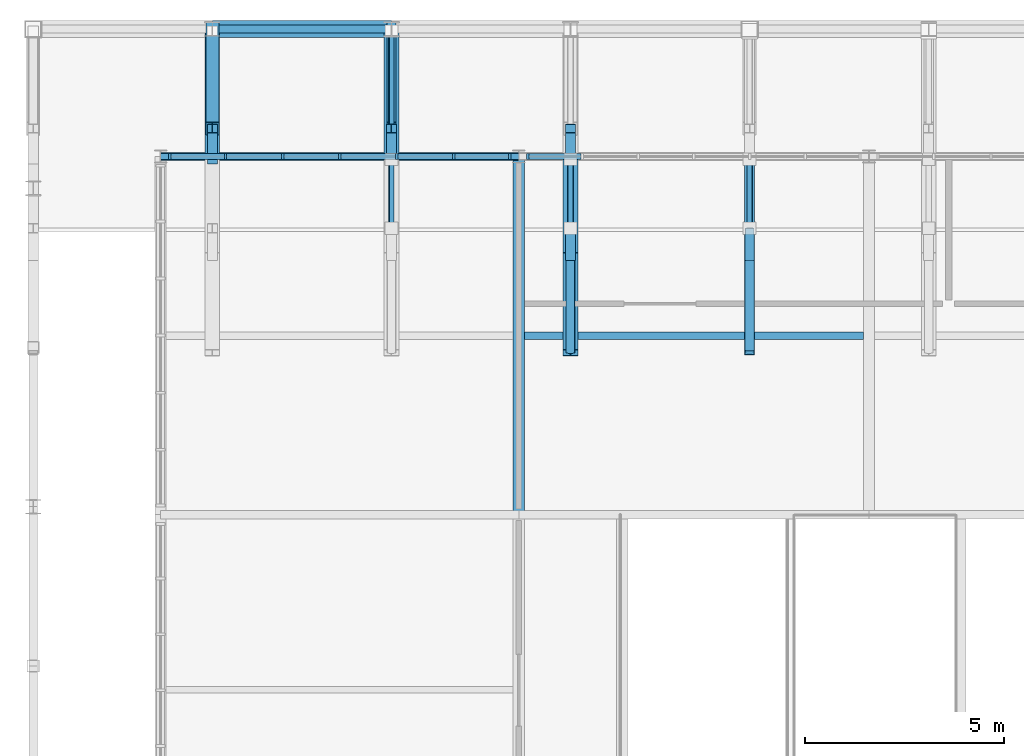
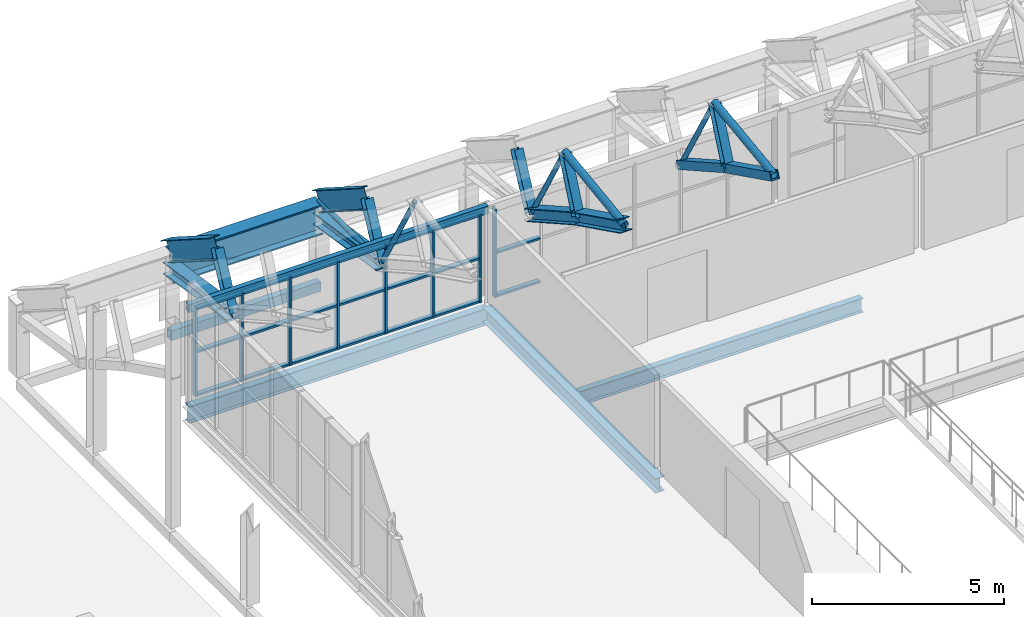
# One storey, part 57 of 134: 45 members, 8 beams, 2 elements without a shape of their own.
"""IFC4 building model written with IfcOpenShell, lengths in metres."""

import ifcopenshell
import ifcopenshell.guid

model = None  # the IFC model being written
_history = None  # IfcOwnerHistory: only IFC2X3 demands one
_inside = {}  # id of a spatial element -> (the spatial element, [elements in it])
_under = {}  # id of a project, library or spatial element -> (it, [spatial elements below it])
_declared = {}  # id of a project -> (the project, [libraries it declares])
_typed = {}  # id of a type object -> (the type object, [elements of that type])
_made_of = {}  # id of a material, layer set ... -> (it, [elements and type objects made of it])


def new_model(schema):
    """Start an empty IFC model of exactly this schema.

    Asked for "IFC4X3", IfcOpenShell would pick the latest addendum, in which some entities
    have other attributes; the version numbers below select the first issue.
    IFC2X3 requires an IfcOwnerHistory on every rooted entity: one is made here for all.
    """
    global model, _history
    if schema == "IFC4X3":
        model = ifcopenshell.file(schema_version=(4, 3, 0, 0))
    else:
        model = ifcopenshell.file(schema=schema)
    _inside.clear()
    _under.clear()
    _declared.clear()
    _typed.clear()
    _made_of.clear()
    _history = None
    if model.schema == "IFC2X3":
        org = make("IfcOrganization", Name="unknown")
        user = make(
            "IfcPersonAndOrganization",
            ThePerson=make("IfcPerson", FamilyName="unknown"),
            TheOrganization=org,
        )
        app = make(
            "IfcApplication",
            ApplicationDeveloper=org,
            Version="unknown",
            ApplicationFullName="unknown",
            ApplicationIdentifier="unknown",
        )
        _history = make(
            "IfcOwnerHistory",
            OwningUser=user,
            OwningApplication=app,
            ChangeAction="ADDED",
            CreationDate=0,
        )
    return model


def make(cls, **values):
    """One entity of the class cls with the attributes given. An attribute that is None is left unset."""
    return model.create_entity(
        cls, **{name: value for name, value in values.items() if value is not None}
    )


def rooted(cls, **values):
    """An entity with a GlobalId (a new one), such as an element, a storey or a relation."""
    return make(cls, GlobalId=ifcopenshell.guid.new(), OwnerHistory=_history, **values)


def si_unit(unit_type, name, prefix=None):
    """IfcSIUnit, for example si_unit("LENGTHUNIT", "METRE", prefix="MILLI")."""
    return make("IfcSIUnit", UnitType=unit_type, Prefix=prefix, Name=name)


def assignment(units):
    """IfcUnitAssignment: the units of a project."""
    return None if units is None else make("IfcUnitAssignment", Units=units)


def point(xyz):
    """IfcCartesianPoint."""
    return None if xyz is None else make("IfcCartesianPoint", Coordinates=xyz)


def direction(xyz):
    """IfcDirection."""
    return None if xyz is None else make("IfcDirection", DirectionRatios=xyz)


def frame(location, z_axis=None, x_axis=None):
    """IfcAxis2Placement3D, a coordinate frame: its origin and axes. An axis left out is left unset."""
    return make(
        "IfcAxis2Placement3D",
        Location=point(location),
        Axis=direction(z_axis),
        RefDirection=direction(x_axis),
    )


def frame_2d(location, x_axis=None):
    """IfcAxis2Placement2D, a coordinate frame in the plane: its origin and x axis."""
    return make(
        "IfcAxis2Placement2D", Location=point(location), RefDirection=direction(x_axis)
    )


def origin():
    """The frame at (0, 0, 0) with its axes left unset."""
    return frame((0.0, 0.0, 0.0))


def origin_2d():
    """The frame at (0, 0) in the plane with its x axis left unset."""
    return frame_2d((0.0, 0.0))


def place(relative_to, where):
    """IfcLocalPlacement: puts the frame where relative to a parent placement (None: the world)."""
    return make(
        "IfcLocalPlacement", PlacementRelTo=relative_to, RelativePlacement=where
    )


def context(
    kind, dimensions, precision=None, world=None, true_north=None, identifier=None
):
    """IfcGeometricRepresentationContext, for example the 3D "Model" context."""
    return make(
        "IfcGeometricRepresentationContext",
        ContextIdentifier=identifier,
        ContextType=kind,
        CoordinateSpaceDimension=dimensions,
        Precision=precision,
        WorldCoordinateSystem=world,
        TrueNorth=true_north,
    )


def subcontext(parent, identifier, kind, view, scale=None):
    """IfcGeometricRepresentationSubContext, for example "Body" below "Model"."""
    return make(
        "IfcGeometricRepresentationSubContext",
        ContextIdentifier=identifier,
        ContextType=kind,
        ParentContext=parent,
        TargetScale=scale,
        TargetView=view,
    )


def project(units=None, contexts=None):
    """IfcProject with its units and contexts."""
    return rooted(
        "IfcProject",
        Name="project",
        RepresentationContexts=contexts,
        UnitsInContext=assignment(units),
    )


def spatial(cls, under=None, at=None, **own):
    """A site, building, storey or space (cls), placed at a placement, below another one or the project."""
    s = rooted(cls, ObjectPlacement=at, **own)
    if under is not None:
        _under.setdefault(under.id(), (under, []))[1].append(s)
    return s


def profile(cls, at=None, kind="AREA", **sizes):
    """A parametric profile (cls). Its sizes go by their IFC names, for example OverallWidth=200.0."""
    return make(cls, ProfileType=kind, Position=at, **sizes)


def rectangle(**sizes):
    """IfcRectangleProfileDef."""
    return profile("IfcRectangleProfileDef", **sizes)


def hollow_rectangle(**sizes):
    """IfcRectangleHollowProfileDef."""
    return profile("IfcRectangleHollowProfileDef", **sizes)


def hollow_circle(**sizes):
    """IfcCircleHollowProfileDef."""
    return profile("IfcCircleHollowProfileDef", **sizes)


def i_section(**sizes):
    """IfcIShapeProfileDef."""
    return profile("IfcIShapeProfileDef", **sizes)


def extrude(swept, where, along, depth):
    """IfcExtrudedAreaSolid: the profile swept, set in the frame where, extruded along a direction by depth."""
    return make(
        "IfcExtrudedAreaSolid",
        SweptArea=swept,
        Position=where,
        ExtrudedDirection=direction(along),
        Depth=depth,
    )


def shape(context_of_items, identifier, shape_type, items):
    """IfcShapeRepresentation: the items that make up one representation, for example the "Body"."""
    return make(
        "IfcShapeRepresentation",
        ContextOfItems=context_of_items,
        RepresentationIdentifier=identifier,
        RepresentationType=shape_type,
        Items=items,
    )


def material(Name=None, Category=None):
    """IfcMaterial."""
    return make("IfcMaterial", Name=Name, Category=Category)


def layer(
    of_material, thickness, ventilated=None, Name=None, Category=None, Priority=None
):
    """IfcMaterialLayer: one layer of a wall or slab, of a material (None: an air gap)."""
    return make(
        "IfcMaterialLayer",
        Material=of_material,
        LayerThickness=thickness,
        IsVentilated=ventilated,
        Name=Name,
        Category=Category,
        Priority=Priority,
    )


def layer_set(layers, Name=None):
    """IfcMaterialLayerSet."""
    return make("IfcMaterialLayerSet", MaterialLayers=layers, LayerSetName=Name)


def material_profile(
    of_material, cross_section, Name=None, Category=None, Priority=None
):
    """IfcMaterialProfile: a cross section and its material."""
    return make(
        "IfcMaterialProfile",
        Name=Name,
        Material=of_material,
        Profile=cross_section,
        Priority=Priority,
        Category=Category,
    )


def profile_set(profiles, Name=None, composite=None):
    """IfcMaterialProfileSet."""
    return make(
        "IfcMaterialProfileSet",
        Name=Name,
        MaterialProfiles=profiles,
        CompositeProfile=composite,
    )


def made_of(thing, what):
    """Note that an element or type object is made of a material, layer set ...; save() writes the relation."""
    if what is not None:
        _made_of.setdefault(what.id(), (what, []))[1].append(thing)
    return thing


def type_object(cls, material=None, **own):
    """A type object (cls), such as IfcWallType, which elements share."""
    return made_of(rooted(cls, **own), material)


def element(
    cls,
    number,
    at=None,
    inside=None,
    cuts=None,
    type_object=None,
    material=None,
    context=None,
    identifier="Body",
    shape_type=None,
    held_by="IfcProductDefinitionShape",
    body=None,
    shapes=None,
    **own,
):
    """One element of the class cls, such as IfcWall. Its Tag is "e" and its number.

    at: its placement. inside: the storey or other place that contains it. cuts: it is an
    opening in that element (IfcRelVoidsElement). A single representation is given by context,
    identifier, shape_type and body (its items); several are given by shapes. held_by: the class
    of the entity that holds the representations. save() writes the other relations.
    """
    e = rooted(cls, Tag="e%d" % number, ObjectPlacement=at, **own)
    if body is not None:
        shapes = [shape(context, identifier, shape_type, body)]
    if shapes is not None:
        e.Representation = make(held_by, Representations=shapes)
    if inside is not None:
        _inside.setdefault(inside.id(), (inside, []))[1].append(e)
    if cuts is not None:
        rooted(
            "IfcRelVoidsElement", RelatingBuildingElement=cuts, RelatedOpeningElement=e
        )
    if type_object is not None:
        _typed.setdefault(type_object.id(), (type_object, []))[1].append(e)
    return made_of(e, material)


def aggregate(whole, parts):
    """IfcRelAggregates: a whole, such as a stair, and the parts it consists of."""
    return rooted("IfcRelAggregates", RelatingObject=whole, RelatedObjects=parts)


def save(model, path):
    """Write the relations noted so far, then the file.

    IfcRelAggregates (storeys below a building ...), IfcRelContainedInSpatialStructure (elements
    in a storey), IfcRelDefinesByType, IfcRelAssociatesMaterial and IfcRelDeclares: one each for
    every whole, place, type object, material and project.
    """
    for whole, parts in _under.values():
        aggregate(whole, parts)
    for where, things in _inside.values():
        rooted(
            "IfcRelContainedInSpatialStructure",
            RelatedElements=things,
            RelatingStructure=where,
        )
    for kind, things in _typed.values():
        rooted("IfcRelDefinesByType", RelatedObjects=things, RelatingType=kind)
    for what, things in _made_of.values():
        rooted("IfcRelAssociatesMaterial", RelatedObjects=things, RelatingMaterial=what)
    for by, libraries in _declared.values():
        rooted("IfcRelDeclares", RelatingContext=by, RelatedDefinitions=libraries)
    model.write(path)


model = new_model("IFC4")

# Units and contexts
model_context = context("Model", 3, precision=1e-05, world=origin(), true_north=direction((0.0, 1.0)))
body_context = subcontext(model_context, "Body", "Model", "MODEL_VIEW")
ifc_project = project(units=[si_unit("LENGTHUNIT", "METRE"), si_unit("AREAUNIT", "SQUARE_METRE"), si_unit("VOLUMEUNIT", "CUBIC_METRE"), si_unit("PLANEANGLEUNIT", "RADIAN"), si_unit("MASSUNIT", "GRAM", prefix="KILO")], contexts=[model_context])

# Site, building, storey
site_placement = place(None, origin())
site = spatial("IfcSite", under=ifc_project, at=site_placement, CompositionType="ELEMENT")
building_placement = place(site_placement, origin())
building = spatial("IfcBuilding", under=site, at=building_placement, Name="Cazmaro Siding Exhibition Halls", CompositionType="ELEMENT")
storey_placement = place(building_placement, frame((0.0, 0.0, 12.0)))
storey = spatial("IfcBuildingStorey", under=building, at=storey_placement, Name="L02", CompositionType="ELEMENT", Elevation=12.0)

# Beams
ifc_material_1 = material(Name="Steel ASTM A992 Grade 50", Category="steel")
ifc_material_profile_1 = material_profile(ifc_material_1, i_section(OverallWidth=0.324951171875, OverallDepth=0.612060546875, WebThickness=0.012939453125, FlangeThickness=0.01904296875, at=origin_2d()), Name="W24X104")
ifc_profile_set_1 = profile_set([ifc_material_profile_1], Name="Steel ASTM A992 Grade 50")
beam_type_1 = type_object("IfcBeamType", Name="AR-02", PredefinedType="USERDEFINED", material=ifc_profile_set_1)
beam_1_placement = place(storey_placement, frame((49.5, 121.5, 3.89306640625), z_axis=(0.0, 0.843339173298, -0.537381650954), x_axis=(-1.0, 0.0, 0.0)))
element("IfcBeam", 1, at=beam_1_placement, inside=storey, type_object=beam_type_1, Name="Space frame barrel vault arched rib AR-02 BM-0582", ObjectType="ARCHED RIB", PredefinedType="USERDEFINED", context=body_context, shape_type="SweptSolid", body=[
    extrude(i_section(OverallWidth=0.324951171875, OverallDepth=0.612060546875, WebThickness=0.012939453125, FlangeThickness=0.01904296875, at=origin_2d()), origin(), (0.0, 0.0, 1.0), 2.96435546875),
])
ifc_material_2 = material(Name="Steel ASTM A992 Grade 50", Category="steel")
ifc_material_profile_2 = material_profile(ifc_material_2, i_section(OverallWidth=0.22900390625, OverallDepth=0.612060546875, WebThickness=0.011962890625, FlangeThickness=0.02001953125, at=origin_2d()), Name="W24X84")
ifc_profile_set_2 = profile_set([ifc_material_profile_2], Name="Steel ASTM A992 Grade 50")
beam_type_2 = type_object("IfcBeamType", Name="AR-03", PredefinedType="USERDEFINED", material=ifc_profile_set_2)
beam_2_placement = place(storey_placement, frame((54.0, 121.5, 3.89306640625), z_axis=(0.0, 0.843339173298, -0.537381650954), x_axis=(-1.0, 0.0, 0.0)))
element("IfcBeam", 2, at=beam_2_placement, inside=storey, type_object=beam_type_2, Name="Space frame barrel vault arched rib AR-03 BM-0606", ObjectType="ARCHED RIB", PredefinedType="USERDEFINED", context=body_context, shape_type="SweptSolid", body=[
    extrude(i_section(OverallWidth=0.22900390625, OverallDepth=0.612060546875, WebThickness=0.011962890625, FlangeThickness=0.02001953125, at=origin_2d()), origin(), (0.0, 0.0, 1.0), 2.96435546875),
])
ifc_material_3 = material(Name="Steel ASTM A992 Grade 50", Category="steel")
ifc_material_profile_3 = material_profile(ifc_material_3, i_section(OverallWidth=0.2099609375, OverallDepth=0.535888671875, WebThickness=0.010986328125, FlangeThickness=0.01708984375, at=origin_2d()), Name="W21X68")
ifc_profile_set_3 = profile_set([ifc_material_profile_3], Name="Steel ASTM A992 Grade 50")
beam_type_3 = type_object("IfcBeamType", Name="B-02", PredefinedType="BEAM", material=ifc_profile_set_3)
beam_3_placement = place(storey_placement, frame((48.199951171875, 120.800048828125, -0.488037109375), z_axis=(1.0, 0.0, 0.0), x_axis=(0.0, 1.0, 0.0)))
element("IfcBeam", 3, at=beam_3_placement, inside=storey, type_object=beam_type_3, Name="Beam B-02 BM-0399", PredefinedType="BEAM", context=body_context, shape_type="SweptSolid", body=[
    extrude(i_section(OverallWidth=0.2099609375, OverallDepth=0.535888671875, WebThickness=0.010986328125, FlangeThickness=0.01708984375, at=origin_2d()), origin(), (0.0, 0.0, 1.0), 9.0),
])
ifc_material_4 = material(Name="Steel ASTM A992 Grade 50", Category="steel")
ifc_material_profile_4 = material_profile(ifc_material_4, i_section(OverallWidth=0.279052734375, OverallDepth=0.4619140625, WebThickness=0.010986328125, FlangeThickness=0.01708984375, at=origin_2d()), Name="W18X76")
ifc_profile_set_4 = profile_set([ifc_material_profile_4], Name="Steel ASTM A992 Grade 50")
beam_type_4 = type_object("IfcBeamType", Name="B-03", PredefinedType="BEAM", material=ifc_profile_set_4)
beam_4_placement = place(storey_placement, frame((57.199951171875, 111.800048828125, -0.450927734375), z_axis=(0.0, 1.0, 0.0), x_axis=(-1.0, 0.0, 0.0)))
element("IfcBeam", 4, at=beam_4_placement, inside=storey, type_object=beam_type_4, Name="Beam B-03 BM-0438", PredefinedType="BEAM", context=body_context, shape_type="SweptSolid", body=[
    extrude(i_section(OverallWidth=0.279052734375, OverallDepth=0.4619140625, WebThickness=0.010986328125, FlangeThickness=0.01708984375, at=origin_2d()), origin(), (0.0, 0.0, 1.0), 9.0),
])

# Curtain wall, members
ifc_material_5 = material(Name="Anodized Bronze Aluminum and Solar-Control Low-E Glazing", Category="aluminium")
ifc_layer = layer(ifc_material_5, 0.159912109375)
ifc_layer_set = layer_set([ifc_layer], Name="Anodized Bronze Aluminum and Solar-Control Low-E Glazing")
curtain_wall_type = type_object("IfcCurtainWallType", Name="CWS-04", PredefinedType="USERDEFINED", material=ifc_layer_set)
curtain_wall_1_placement = place(storey_placement, origin())
curtain_wall_1 = element("IfcCurtainWall", 5, at=curtain_wall_1_placement, inside=storey, type_object=curtain_wall_type, Name="Clerestory Curtain Wall CWS-04 CW-002", ObjectType="CLERESTORY CURTAIN WALL", PredefinedType="USERDEFINED")
ifc_material_6 = material(Name="Anodized Bronze Extruded Aluminum", Category="aluminium")
ifc_material_profile_5 = material_profile(ifc_material_6, rectangle(XDim=0.159912109375, YDim=0.06005859375, at=origin_2d()), Name="CWM-04")
ifc_profile_set_5 = profile_set([ifc_material_profile_5], Name="Anodized Bronze Extruded Aluminum")
member_type_1 = type_object("IfcMemberType", Name="CWM-04", PredefinedType="MULLION", material=ifc_profile_set_5)
member_1_placement = place(storey_placement, frame((56.972900390625, 120.800048828125, 0.0), z_axis=(0.0, 0.0, 1.0), x_axis=(0.0, -1.0, 0.0)))
member_1 = element("IfcMember", 6, at=member_1_placement, type_object=member_type_1, Name="CWS-04 mullion 1", PredefinedType="MULLION", context=body_context, shape_type="SweptSolid", body=[
    extrude(rectangle(XDim=0.159912109375, YDim=0.06005859375, at=origin_2d()), origin(), (0.0, 0.0, 1.0), 2.800048828125),
])
member_2_placement = place(storey_placement, frame((55.568603515625, 120.800048828125, 0.0), z_axis=(0.0, 0.0, 1.0), x_axis=(0.0, -1.0, 0.0)))
member_2 = element("IfcMember", 7, at=member_2_placement, type_object=member_type_1, Name="CWS-04 mullion 2", PredefinedType="MULLION", context=body_context, shape_type="SweptSolid", body=[
    extrude(rectangle(XDim=0.159912109375, YDim=0.06005859375, at=origin_2d()), origin(), (0.0, 0.0, 1.0), 2.800048828125),
])
member_3_placement = place(storey_placement, frame((54.13427734375, 120.800048828125, 0.0), z_axis=(0.0, 0.0, 1.0), x_axis=(0.0, -1.0, 0.0)))
member_3 = element("IfcMember", 8, at=member_3_placement, type_object=member_type_1, Name="CWS-04 mullion 3", PredefinedType="MULLION", context=body_context, shape_type="SweptSolid", body=[
    extrude(rectangle(XDim=0.159912109375, YDim=0.06005859375, at=origin_2d()), origin(), (0.0, 0.0, 1.0), 2.800048828125),
])
member_4_placement = place(storey_placement, frame((52.699951171875, 120.800048828125, 0.0), z_axis=(0.0, 0.0, 1.0), x_axis=(0.0, -1.0, 0.0)))
member_4 = element("IfcMember", 9, at=member_4_placement, type_object=member_type_1, Name="CWS-04 mullion 4", PredefinedType="MULLION", context=body_context, shape_type="SweptSolid", body=[
    extrude(rectangle(XDim=0.159912109375, YDim=0.06005859375, at=origin_2d()), origin(), (0.0, 0.0, 1.0), 2.800048828125),
])
member_5_placement = place(storey_placement, frame((51.265625, 120.800048828125, 0.0), z_axis=(0.0, 0.0, 1.0), x_axis=(0.0, -1.0, 0.0)))
member_5 = element("IfcMember", 10, at=member_5_placement, type_object=member_type_1, Name="CWS-04 mullion 5", PredefinedType="MULLION", context=body_context, shape_type="SweptSolid", body=[
    extrude(rectangle(XDim=0.159912109375, YDim=0.06005859375, at=origin_2d()), origin(), (0.0, 0.0, 1.0), 2.800048828125),
])
member_6_placement = place(storey_placement, frame((49.831298828125, 120.800048828125, 0.0), z_axis=(0.0, 0.0, 1.0), x_axis=(0.0, -1.0, 0.0)))
member_6 = element("IfcMember", 11, at=member_6_placement, type_object=member_type_1, Name="CWS-04 mullion 6", PredefinedType="MULLION", context=body_context, shape_type="SweptSolid", body=[
    extrude(rectangle(XDim=0.159912109375, YDim=0.06005859375, at=origin_2d()), origin(), (0.0, 0.0, 1.0), 2.800048828125),
])
member_7_placement = place(storey_placement, frame((48.427001953125, 120.800048828125, 0.0), z_axis=(0.0, 0.0, 1.0), x_axis=(0.0, -1.0, 0.0)))
member_7 = element("IfcMember", 12, at=member_7_placement, type_object=member_type_1, Name="CWS-04 mullion 7", PredefinedType="MULLION", context=body_context, shape_type="SweptSolid", body=[
    extrude(rectangle(XDim=0.159912109375, YDim=0.06005859375, at=origin_2d()), origin(), (0.0, 0.0, 1.0), 2.800048828125),
])

# Curtain wall, member
curtain_wall_2_placement = place(storey_placement, origin())
curtain_wall_2 = element("IfcCurtainWall", 13, at=curtain_wall_2_placement, inside=storey, type_object=curtain_wall_type, Name="Clerestory Curtain Wall CWS-04 CW-007", ObjectType="CLERESTORY CURTAIN WALL", PredefinedType="USERDEFINED")
member_8_placement = place(storey_placement, frame((57.427001953125, 120.800048828125, 0.0), z_axis=(0.0, 0.0, 1.0), x_axis=(0.0, -1.0, 0.0)))
member_8 = element("IfcMember", 14, at=member_8_placement, type_object=member_type_1, Name="CWS-04 mullion 7", PredefinedType="MULLION", context=body_context, shape_type="SweptSolid", body=[
    extrude(rectangle(XDim=0.159912109375, YDim=0.06005859375, at=origin_2d()), origin(), (0.0, 0.0, 1.0), 2.800048828125),
])

# Member
ifc_material_7 = material(Name="Anodized Bronze Extruded Aluminum", Category="aluminium")
ifc_material_profile_6 = material_profile(ifc_material_7, rectangle(XDim=0.139892578125, YDim=0.06005859375, at=origin_2d()), Name="CWT-04")
ifc_profile_set_6 = profile_set([ifc_material_profile_6], Name="Anodized Bronze Extruded Aluminum")
member_type_2 = type_object("IfcMemberType", Name="CWT-04", PredefinedType="MULLION", material=ifc_profile_set_6)
member_9_placement = place(storey_placement, frame((56.943115234375, 120.800048828125, 0.030029296875), z_axis=(-1.0, 0.0, 0.0), x_axis=(0.0, -1.0, 0.0)))
member_9 = element("IfcMember", 15, at=member_9_placement, type_object=member_type_2, Name="CWS-04 transom 1.1", ObjectType="TRANSOM", PredefinedType="USERDEFINED", context=body_context, shape_type="SweptSolid", body=[
    extrude(rectangle(XDim=0.139892578125, YDim=0.06005859375, at=origin_2d()), origin(), (0.0, 0.0, 1.0), 1.344482421875),
])

member_10_placement = place(storey_placement, frame((56.943115234375, 120.800048828125, 1.39990234375), z_axis=(-1.0, 0.0, 0.0), x_axis=(0.0, -1.0, 0.0)))
member_10 = element("IfcMember", 16, at=member_10_placement, type_object=member_type_2, Name="CWS-04 transom 1.2", ObjectType="TRANSOM", PredefinedType="USERDEFINED", context=body_context, shape_type="SweptSolid", body=[
    extrude(rectangle(XDim=0.139892578125, YDim=0.06005859375, at=origin_2d()), origin(), (0.0, 0.0, 1.0), 1.344482421875),
])

member_11_placement = place(storey_placement, frame((56.943115234375, 120.800048828125, 2.77001953125), z_axis=(-1.0, 0.0, 0.0), x_axis=(0.0, -1.0, 0.0)))
member_11 = element("IfcMember", 17, at=member_11_placement, type_object=member_type_2, Name="CWS-04 transom 1.3", ObjectType="TRANSOM", PredefinedType="USERDEFINED", context=body_context, shape_type="SweptSolid", body=[
    extrude(rectangle(XDim=0.139892578125, YDim=0.06005859375, at=origin_2d()), origin(), (0.0, 0.0, 1.0), 1.344482421875),
])

member_12_placement = place(storey_placement, frame((55.53857421875, 120.800048828125, 0.030029296875), z_axis=(-1.0, 0.0, 0.0), x_axis=(0.0, -1.0, 0.0)))
member_12 = element("IfcMember", 18, at=member_12_placement, type_object=member_type_2, Name="CWS-04 transom 2.1", ObjectType="TRANSOM", PredefinedType="USERDEFINED", context=body_context, shape_type="SweptSolid", body=[
    extrude(rectangle(XDim=0.139892578125, YDim=0.06005859375, at=origin_2d()), origin(), (0.0, 0.0, 1.0), 1.374267578125),
])

member_13_placement = place(storey_placement, frame((55.53857421875, 120.800048828125, 1.39990234375), z_axis=(-1.0, 0.0, 0.0), x_axis=(0.0, -1.0, 0.0)))
member_13 = element("IfcMember", 19, at=member_13_placement, type_object=member_type_2, Name="CWS-04 transom 2.2", ObjectType="TRANSOM", PredefinedType="USERDEFINED", context=body_context, shape_type="SweptSolid", body=[
    extrude(rectangle(XDim=0.139892578125, YDim=0.06005859375, at=origin_2d()), origin(), (0.0, 0.0, 1.0), 1.374267578125),
])

member_14_placement = place(storey_placement, frame((55.53857421875, 120.800048828125, 2.77001953125), z_axis=(-1.0, 0.0, 0.0), x_axis=(0.0, -1.0, 0.0)))
member_14 = element("IfcMember", 20, at=member_14_placement, type_object=member_type_2, Name="CWS-04 transom 2.3", ObjectType="TRANSOM", PredefinedType="USERDEFINED", context=body_context, shape_type="SweptSolid", body=[
    extrude(rectangle(XDim=0.139892578125, YDim=0.06005859375, at=origin_2d()), origin(), (0.0, 0.0, 1.0), 1.374267578125),
])

member_15_placement = place(storey_placement, frame((54.104248046875, 120.800048828125, 0.030029296875), z_axis=(-1.0, 0.0, 0.0), x_axis=(0.0, -1.0, 0.0)))
member_15 = element("IfcMember", 21, at=member_15_placement, type_object=member_type_2, Name="CWS-04 transom 3.1", ObjectType="TRANSOM", PredefinedType="USERDEFINED", context=body_context, shape_type="SweptSolid", body=[
    extrude(rectangle(XDim=0.139892578125, YDim=0.06005859375, at=origin_2d()), origin(), (0.0, 0.0, 1.0), 1.374267578125),
])

member_16_placement = place(storey_placement, frame((54.104248046875, 120.800048828125, 1.39990234375), z_axis=(-1.0, 0.0, 0.0), x_axis=(0.0, -1.0, 0.0)))
member_16 = element("IfcMember", 22, at=member_16_placement, type_object=member_type_2, Name="CWS-04 transom 3.2", ObjectType="TRANSOM", PredefinedType="USERDEFINED", context=body_context, shape_type="SweptSolid", body=[
    extrude(rectangle(XDim=0.139892578125, YDim=0.06005859375, at=origin_2d()), origin(), (0.0, 0.0, 1.0), 1.374267578125),
])

member_17_placement = place(storey_placement, frame((54.104248046875, 120.800048828125, 2.77001953125), z_axis=(-1.0, 0.0, 0.0), x_axis=(0.0, -1.0, 0.0)))
member_17 = element("IfcMember", 23, at=member_17_placement, type_object=member_type_2, Name="CWS-04 transom 3.3", ObjectType="TRANSOM", PredefinedType="USERDEFINED", context=body_context, shape_type="SweptSolid", body=[
    extrude(rectangle(XDim=0.139892578125, YDim=0.06005859375, at=origin_2d()), origin(), (0.0, 0.0, 1.0), 1.374267578125),
])

member_18_placement = place(storey_placement, frame((52.669921875, 120.800048828125, 0.030029296875), z_axis=(-1.0, 0.0, 0.0), x_axis=(0.0, -1.0, 0.0)))
member_18 = element("IfcMember", 24, at=member_18_placement, type_object=member_type_2, Name="CWS-04 transom 4.1", ObjectType="TRANSOM", PredefinedType="USERDEFINED", context=body_context, shape_type="SweptSolid", body=[
    extrude(rectangle(XDim=0.139892578125, YDim=0.06005859375, at=origin_2d()), origin(), (0.0, 0.0, 1.0), 1.374267578125),
])

member_19_placement = place(storey_placement, frame((52.669921875, 120.800048828125, 1.39990234375), z_axis=(-1.0, 0.0, 0.0), x_axis=(0.0, -1.0, 0.0)))
member_19 = element("IfcMember", 25, at=member_19_placement, type_object=member_type_2, Name="CWS-04 transom 4.2", ObjectType="TRANSOM", PredefinedType="USERDEFINED", context=body_context, shape_type="SweptSolid", body=[
    extrude(rectangle(XDim=0.139892578125, YDim=0.06005859375, at=origin_2d()), origin(), (0.0, 0.0, 1.0), 1.374267578125),
])

member_20_placement = place(storey_placement, frame((52.669921875, 120.800048828125, 2.77001953125), z_axis=(-1.0, 0.0, 0.0), x_axis=(0.0, -1.0, 0.0)))
member_20 = element("IfcMember", 26, at=member_20_placement, type_object=member_type_2, Name="CWS-04 transom 4.3", ObjectType="TRANSOM", PredefinedType="USERDEFINED", context=body_context, shape_type="SweptSolid", body=[
    extrude(rectangle(XDim=0.139892578125, YDim=0.06005859375, at=origin_2d()), origin(), (0.0, 0.0, 1.0), 1.374267578125),
])

member_21_placement = place(storey_placement, frame((51.235595703125, 120.800048828125, 0.030029296875), z_axis=(-1.0, 0.0, 0.0), x_axis=(0.0, -1.0, 0.0)))
member_21 = element("IfcMember", 27, at=member_21_placement, type_object=member_type_2, Name="CWS-04 transom 5.1", ObjectType="TRANSOM", PredefinedType="USERDEFINED", context=body_context, shape_type="SweptSolid", body=[
    extrude(rectangle(XDim=0.139892578125, YDim=0.06005859375, at=origin_2d()), origin(), (0.0, 0.0, 1.0), 1.374267578125),
])

member_22_placement = place(storey_placement, frame((51.235595703125, 120.800048828125, 1.39990234375), z_axis=(-1.0, 0.0, 0.0), x_axis=(0.0, -1.0, 0.0)))
member_22 = element("IfcMember", 28, at=member_22_placement, type_object=member_type_2, Name="CWS-04 transom 5.2", ObjectType="TRANSOM", PredefinedType="USERDEFINED", context=body_context, shape_type="SweptSolid", body=[
    extrude(rectangle(XDim=0.139892578125, YDim=0.06005859375, at=origin_2d()), origin(), (0.0, 0.0, 1.0), 1.374267578125),
])

member_23_placement = place(storey_placement, frame((51.235595703125, 120.800048828125, 2.77001953125), z_axis=(-1.0, 0.0, 0.0), x_axis=(0.0, -1.0, 0.0)))
member_23 = element("IfcMember", 29, at=member_23_placement, type_object=member_type_2, Name="CWS-04 transom 5.3", ObjectType="TRANSOM", PredefinedType="USERDEFINED", context=body_context, shape_type="SweptSolid", body=[
    extrude(rectangle(XDim=0.139892578125, YDim=0.06005859375, at=origin_2d()), origin(), (0.0, 0.0, 1.0), 1.374267578125),
])

member_24_placement = place(storey_placement, frame((49.80126953125, 120.800048828125, 0.030029296875), z_axis=(-1.0, 0.0, 0.0), x_axis=(0.0, -1.0, 0.0)))
member_24 = element("IfcMember", 30, at=member_24_placement, type_object=member_type_2, Name="CWS-04 transom 6.1", ObjectType="TRANSOM", PredefinedType="USERDEFINED", context=body_context, shape_type="SweptSolid", body=[
    extrude(rectangle(XDim=0.139892578125, YDim=0.06005859375, at=origin_2d()), origin(), (0.0, 0.0, 1.0), 1.34423828125),
])

member_25_placement = place(storey_placement, frame((49.80126953125, 120.800048828125, 1.39990234375), z_axis=(-1.0, 0.0, 0.0), x_axis=(0.0, -1.0, 0.0)))
member_25 = element("IfcMember", 31, at=member_25_placement, type_object=member_type_2, Name="CWS-04 transom 6.2", ObjectType="TRANSOM", PredefinedType="USERDEFINED", context=body_context, shape_type="SweptSolid", body=[
    extrude(rectangle(XDim=0.139892578125, YDim=0.06005859375, at=origin_2d()), origin(), (0.0, 0.0, 1.0), 1.34423828125),
])

member_26_placement = place(storey_placement, frame((49.80126953125, 120.800048828125, 2.77001953125), z_axis=(-1.0, 0.0, 0.0), x_axis=(0.0, -1.0, 0.0)))
member_26 = element("IfcMember", 32, at=member_26_placement, type_object=member_type_2, Name="CWS-04 transom 6.3", ObjectType="TRANSOM", PredefinedType="USERDEFINED", context=body_context, shape_type="SweptSolid", body=[
    extrude(rectangle(XDim=0.139892578125, YDim=0.06005859375, at=origin_2d()), origin(), (0.0, 0.0, 1.0), 1.34423828125),
])

aggregate(curtain_wall_1, [member_1, member_2, member_3, member_4, member_5, member_6, member_7, member_9, member_10, member_11, member_12, member_13, member_14, member_15, member_16, member_17, member_18, member_19, member_20, member_21, member_22, member_23, member_24, member_25, member_26])

member_27_placement = place(storey_placement, frame((58.76806640625, 120.800048828125, 0.030029296875), z_axis=(-1.0, 0.0, 0.0), x_axis=(0.0, -1.0, 0.0)))
member_27 = element("IfcMember", 33, at=member_27_placement, type_object=member_type_2, Name="CWS-04 transom 6.1", ObjectType="TRANSOM", PredefinedType="USERDEFINED", context=body_context, shape_type="SweptSolid", body=[
    extrude(rectangle(XDim=0.139892578125, YDim=0.06005859375, at=origin_2d()), origin(), (0.0, 0.0, 1.0), 1.31103515625),
])

member_28_placement = place(storey_placement, frame((58.76806640625, 120.800048828125, 1.39990234375), z_axis=(-1.0, 0.0, 0.0), x_axis=(0.0, -1.0, 0.0)))
member_28 = element("IfcMember", 34, at=member_28_placement, type_object=member_type_2, Name="CWS-04 transom 6.2", ObjectType="TRANSOM", PredefinedType="USERDEFINED", context=body_context, shape_type="SweptSolid", body=[
    extrude(rectangle(XDim=0.139892578125, YDim=0.06005859375, at=origin_2d()), origin(), (0.0, 0.0, 1.0), 1.31103515625),
])

aggregate(curtain_wall_2, [member_8, member_27, member_28])

# Beams
ifc_material_8 = material(Name="Steel ASTM A992 Grade 50", Category="steel")
ifc_material_profile_7 = material_profile(ifc_material_8, i_section(OverallWidth=0.424072265625, OverallDepth=0.947021484375, WebThickness=0.02392578125, FlangeThickness=0.04296875, at=origin_2d()), Name="W36X302")
ifc_profile_set_7 = profile_set([ifc_material_profile_7], Name="Steel ASTM A992 Grade 50")
beam_type_5 = type_object("IfcBeamType", Name="G-01", PredefinedType="USERDEFINED", material=ifc_profile_set_7)
beam_5_placement = place(storey_placement, frame((49.5, 124.0, 1.826904296875), z_axis=(1.0, 0.0, 0.0), x_axis=(0.0, 1.0, 0.0)))
element("IfcBeam", 35, at=beam_5_placement, inside=storey, type_object=beam_type_5, Name="Beam G-01 BM-0072", ObjectType="GIRDER", PredefinedType="USERDEFINED", context=body_context, shape_type="SweptSolid", body=[
    extrude(i_section(OverallWidth=0.424072265625, OverallDepth=0.947021484375, WebThickness=0.02392578125, FlangeThickness=0.04296875, at=origin_2d()), origin(), (0.0, 0.0, 1.0), 4.5),
])
ifc_material_9 = material(Name="Steel ASTM A992 Grade 50", Category="steel")
ifc_material_profile_8 = material_profile(ifc_material_9, i_section(OverallWidth=0.19091796875, OverallDepth=0.45703125, WebThickness=0.009033203125, FlangeThickness=0.013916015625, at=origin_2d()), Name="W18X50")
ifc_profile_set_8 = profile_set([ifc_material_profile_8], Name="Steel ASTM A992 Grade 50")
beam_type_6 = type_object("IfcBeamType", Name="J-01", PredefinedType="JOIST", material=ifc_profile_set_8)
beam_6_placement = place(storey_placement, frame((57.340087890625, 116.300048828125, -0.448974609375), z_axis=(1.0, 0.0, 0.0), x_axis=(0.0, 1.0, 0.0)))
element("IfcBeam", 36, at=beam_6_placement, inside=storey, type_object=beam_type_6, Name="Beam J-01 BM-0403", PredefinedType="JOIST", context=body_context, shape_type="SweptSolid", body=[
    extrude(i_section(OverallWidth=0.19091796875, OverallDepth=0.45703125, WebThickness=0.009033203125, FlangeThickness=0.013916015625, at=origin_2d()), origin(), (0.0, 0.0, 1.0), 8.52001953125),
])
ifc_material_10 = material(Name="Steel ASTM A500 Grade C", Category="steel")
ifc_material_profile_9 = material_profile(ifc_material_10, hollow_rectangle(XDim=0.202880859375, YDim=0.304931640625, WallThickness=0.011962890625, at=origin_2d()), Name="HSS12X8X1/2")
ifc_profile_set_9 = profile_set([ifc_material_profile_9], Name="Steel ASTM A500 Grade C")
beam_type_7 = type_object("IfcBeamType", Name="SP-01", PredefinedType="SPANDREL", material=ifc_profile_set_9)
beam_7_placement = place(storey_placement, frame((49.5, 124.0, -0.373046875), z_axis=(1.0, 0.0, 0.0), x_axis=(0.0, 1.0, 0.0)))
element("IfcBeam", 37, at=beam_7_placement, inside=storey, type_object=beam_type_7, Name="Beam SP-01 BM-0071", PredefinedType="SPANDREL", context=body_context, shape_type="SweptSolid", body=[
    extrude(hollow_rectangle(XDim=0.202880859375, YDim=0.304931640625, WallThickness=0.011962890625, at=origin_2d()), origin(), (0.0, 0.0, 1.0), 4.5),
])
ifc_material_11 = material(Name="Steel ASTM A500 Grade C", Category="steel")
ifc_material_profile_10 = material_profile(ifc_material_11, hollow_rectangle(XDim=0.152099609375, YDim=0.25390625, WallThickness=0.011962890625, at=origin_2d()), Name="HSS10X6X1/2")
ifc_profile_set_10 = profile_set([ifc_material_profile_10], Name="Steel ASTM A500 Grade C")
beam_type_8 = type_object("IfcBeamType", Name="SP-02", PredefinedType="SPANDREL", material=ifc_profile_set_10)
beam_8_placement = place(storey_placement, frame((48.199951171875, 120.800048828125, 2.873046875), z_axis=(1.0, 0.0, 0.0), x_axis=(0.0, 1.0, 0.0)))
element("IfcBeam", 38, at=beam_8_placement, inside=storey, type_object=beam_type_8, Name="Beam SP-02 BM-0229", PredefinedType="SPANDREL", context=body_context, shape_type="SweptSolid", body=[
    extrude(hollow_rectangle(XDim=0.152099609375, YDim=0.25390625, WallThickness=0.011962890625, at=origin_2d()), origin(), (0.0, 0.0, 1.0), 9.0),
])

# Members
ifc_material_12 = material(Name="Steel ASTM A500 Grade C", Category="steel")
ifc_material_profile_11 = material_profile(ifc_material_12, hollow_rectangle(XDim=0.25390625, YDim=0.25390625, WallThickness=0.014892578125, at=origin_2d()), Name="HSS10X10X5/8")
ifc_profile_set_11 = profile_set([ifc_material_profile_11], Name="Steel ASTM A500 Grade C")
member_type_3 = type_object("IfcMemberType", Name="TC-01", PredefinedType="CHORD", material=ifc_profile_set_11)
member_29_placement = place(storey_placement, frame((63.0, 115.868896484375, 4.87890625), z_axis=(0.0, 0.896077457924, -0.443897724033), x_axis=(-1.0, 0.0, 0.0)))
element("IfcMember", 39, at=member_29_placement, inside=storey, type_object=member_type_3, Name="Space frame barrel vault bottom chord TC-01 MEM-0279", PredefinedType="CHORD", context=body_context, shape_type="SweptSolid", body=[
    extrude(hollow_rectangle(XDim=0.25390625, YDim=0.25390625, WallThickness=0.014892578125, at=origin_2d()), origin(), (0.0, 0.0, 1.0), 2.7119140625),
])
member_30_placement = place(storey_placement, frame((63.0, 118.299072265625, 3.675048828125), z_axis=(0.0, 0.871222319466, -0.490888653428), x_axis=(-1.0, 0.0, 0.0)))
element("IfcMember", 40, at=member_30_placement, inside=storey, type_object=member_type_3, Name="Space frame barrel vault bottom chord TC-01 MEM-0281", PredefinedType="CHORD", context=body_context, shape_type="SweptSolid", body=[
    extrude(hollow_rectangle(XDim=0.25390625, YDim=0.25390625, WallThickness=0.014892578125, at=origin_2d()), origin(), (0.0, 0.0, 1.0), 2.7890625),
])
ifc_material_13 = material(Name="Steel ASTM A992 Grade 50", Category="steel")
ifc_material_profile_12 = material_profile(ifc_material_13, i_section(OverallWidth=0.37109375, OverallDepth=0.364013671875, WebThickness=0.012939453125, FlangeThickness=0.02197265625, at=origin_2d()), Name="W14X109")
ifc_profile_set_12 = profile_set([ifc_material_profile_12], Name="Steel ASTM A992 Grade 50")
member_type_4 = type_object("IfcMemberType", Name="TC-06", PredefinedType="CHORD", material=ifc_profile_set_12)
for number, where, z_axis, x_axis, name in (
    (41, (49.5, 120.72900390625, 2.305908203125), (0.0, 0.988252010809, -0.152833121839), (-1.0, 0.0, 0.0), "Space frame barrel vault bottom chord TC-06 MEM-0071"),
    (42, (54.0, 120.72900390625, 2.305908203125), (0.0, 0.988252010809, -0.152833121839), (-1.0, 0.0, 0.0), "Space frame barrel vault bottom chord TC-06 MEM-0141"),
):
    element("IfcMember", number, at=place(storey_placement, frame(where, z_axis=z_axis, x_axis=x_axis)), inside=storey, type_object=member_type_4, Name=name, PredefinedType="CHORD", context=body_context, shape_type="SweptSolid", body=[
        extrude(i_section(OverallWidth=0.37109375, OverallDepth=0.364013671875, WebThickness=0.012939453125, FlangeThickness=0.02197265625, at=origin_2d()), origin(), (0.0, 0.0, 1.0), 3.309814453125),
    ])
member_31_placement = place(storey_placement, frame((58.5, 115.868896484375, 4.87890625), z_axis=(0.0, 0.896077457924, -0.443897724033), x_axis=(-1.0, 0.0, 0.0)))
element("IfcMember", 43, at=member_31_placement, inside=storey, type_object=member_type_4, Name="Space frame barrel vault bottom chord TC-06 MEM-0208", PredefinedType="CHORD", context=body_context, shape_type="SweptSolid", body=[
    extrude(i_section(OverallWidth=0.37109375, OverallDepth=0.364013671875, WebThickness=0.012939453125, FlangeThickness=0.02197265625, at=origin_2d()), origin(), (0.0, 0.0, 1.0), 2.7119140625),
])
member_32_placement = place(storey_placement, frame((58.5, 118.299072265625, 3.675048828125), z_axis=(0.0, 0.871222319466, -0.490888653428), x_axis=(-1.0, 0.0, 0.0)))
element("IfcMember", 44, at=member_32_placement, inside=storey, type_object=member_type_4, Name="Space frame barrel vault bottom chord TC-06 MEM-0210", PredefinedType="CHORD", context=body_context, shape_type="SweptSolid", body=[
    extrude(i_section(OverallWidth=0.37109375, OverallDepth=0.364013671875, WebThickness=0.012939453125, FlangeThickness=0.02197265625, at=origin_2d()), origin(), (0.0, 0.0, 1.0), 2.7890625),
])
ifc_material_14 = material(Name="Steel ASTM A992 Grade 50", Category="steel")
ifc_material_profile_13 = material_profile(ifc_material_14, i_section(OverallWidth=0.25390625, OverallDepth=0.25390625, WebThickness=0.009033203125, FlangeThickness=0.013916015625, at=origin_2d()), Name="W10X49")
ifc_profile_set_13 = profile_set([ifc_material_profile_13], Name="Steel ASTM A992 Grade 50")
member_type_5 = type_object("IfcMemberType", Name="TP-04", PredefinedType="POST", material=ifc_profile_set_13)
for number, where, z_axis, x_axis, name in (
    (45, (49.5, 120.72900390625, 2.305908203125), (0.0, 0.436945543824, 0.89948796086), (-1.0, 0.0, 0.0), "Space frame barrel vault post TP-04 MEM-0094"),
    (46, (54.0, 120.72900390625, 2.305908203125), (0.0, 0.436945543824, 0.89948796086), (-1.0, 0.0, 0.0), "Space frame barrel vault post TP-04 MEM-0165"),
):
    element("IfcMember", number, at=place(storey_placement, frame(where, z_axis=z_axis, x_axis=x_axis)), inside=storey, type_object=member_type_5, Name=name, PredefinedType="POST", context=body_context, shape_type="SweptSolid", body=[
        extrude(i_section(OverallWidth=0.25390625, OverallDepth=0.25390625, WebThickness=0.009033203125, FlangeThickness=0.013916015625, at=origin_2d()), origin(), (0.0, 0.0, 1.0), 1.764404296875),
    ])
member_33_placement = place(storey_placement, frame((58.5, 118.299072265625, 3.675048828125), z_axis=(0.0, 0.395865434272, 0.918308530913), x_axis=(-1.0, 0.0, 0.0)))
element("IfcMember", 47, at=member_33_placement, inside=storey, type_object=member_type_5, Name="Space frame barrel vault post TP-04 MEM-0235", PredefinedType="POST", context=body_context, shape_type="SweptSolid", body=[
    extrude(i_section(OverallWidth=0.25390625, OverallDepth=0.25390625, WebThickness=0.009033203125, FlangeThickness=0.013916015625, at=origin_2d()), origin(), (0.0, 0.0, 1.0), 1.7705078125),
])
member_34_placement = place(storey_placement, frame((58.5, 120.72900390625, 2.305908203125), z_axis=(0.0, 0.436945543824, 0.89948796086), x_axis=(-1.0, 0.0, 0.0)))
element("IfcMember", 48, at=member_34_placement, inside=storey, type_object=member_type_5, Name="Space frame barrel vault post TP-04 MEM-0236", PredefinedType="POST", context=body_context, shape_type="SweptSolid", body=[
    extrude(i_section(OverallWidth=0.25390625, OverallDepth=0.25390625, WebThickness=0.009033203125, FlangeThickness=0.013916015625, at=origin_2d()), origin(), (0.0, 0.0, 1.0), 1.764404296875),
])
member_35_placement = place(storey_placement, frame((63.0, 118.299072265625, 3.675048828125), z_axis=(0.0, 0.395865434272, 0.918308530913), x_axis=(-1.0, 0.0, 0.0)))
element("IfcMember", 49, at=member_35_placement, inside=storey, type_object=member_type_5, Name="Space frame barrel vault post TP-04 MEM-0306", PredefinedType="POST", context=body_context, shape_type="SweptSolid", body=[
    extrude(i_section(OverallWidth=0.25390625, OverallDepth=0.25390625, WebThickness=0.009033203125, FlangeThickness=0.013916015625, at=origin_2d()), origin(), (0.0, 0.0, 1.0), 1.7705078125),
])
ifc_material_15 = material(Name="Steel ASTM A500 Grade C", Category="steel")
ifc_material_profile_14 = material_profile(ifc_material_15, hollow_circle(Radius=0.109619140625, WallThickness=0.012939453125, at=origin_2d()), Name="PIPE8XS")
ifc_profile_set_14 = profile_set([ifc_material_profile_14], Name="Steel ASTM A500 Grade C")
member_type_6 = type_object("IfcMemberType", Name="WB-01", PredefinedType="BRACE", material=ifc_profile_set_14)
for number, where, z_axis, x_axis, name in (
    (50, (58.5, 115.868896484375, 4.87890625), (0.0, 0.991034510477, 0.133606134005), (-1.0, 0.0, 0.0), "Space frame barrel vault diagonal WB-01 MEM-0209"),
    (51, (63.0, 115.868896484375, 4.87890625), (0.0, 0.991034510477, 0.133606134005), (-1.0, 0.0, 0.0), "Space frame barrel vault diagonal WB-01 MEM-0280"),
):
    element("IfcMember", number, at=place(storey_placement, frame(where, z_axis=z_axis, x_axis=x_axis)), inside=storey, type_object=member_type_6, Name=name, PredefinedType="BRACE", context=body_context, shape_type="SweptSolid", body=[
        extrude(hollow_circle(Radius=0.109619140625, WallThickness=0.012939453125, at=origin_2d()), origin(), (0.0, 0.0, 1.0), 3.159423828125),
    ])
ifc_material_16 = material(Name="Steel ASTM A500 Grade C", Category="steel")
ifc_material_profile_15 = material_profile(ifc_material_16, hollow_circle(Radius=0.070556640625, WallThickness=0.01904296875, at=origin_2d()), Name="PIPE5XXS")
ifc_profile_set_15 = profile_set([ifc_material_profile_15], Name="Steel ASTM A500 Grade C")
member_type_7 = type_object("IfcMemberType", Name="WB-07", PredefinedType="BRACE", material=ifc_profile_set_15)
member_36_placement = place(storey_placement, frame((54.0, 119.0, 5.301025390625), z_axis=(0.0, 0.499950595228, -0.866053925764), x_axis=(-1.0, 0.0, 0.0)))
element("IfcMember", 52, at=member_36_placement, inside=storey, type_object=member_type_7, Name="Space frame barrel vault diagonal WB-07 MEM-0140", PredefinedType="BRACE", context=body_context, shape_type="SweptSolid", body=[
    extrude(hollow_circle(Radius=0.070556640625, WallThickness=0.01904296875, at=origin_2d()), origin(), (0.0, 0.0, 1.0), 3.458251953125),
])
member_37_placement = place(storey_placement, frame((54.0, 120.72900390625, 2.305908203125), z_axis=(0.0, 0.999998395604, -0.001791309262), x_axis=(-1.0, 0.0, 0.0)))
element("IfcMember", 53, at=member_37_placement, inside=storey, type_object=member_type_7, Name="Space frame barrel vault diagonal WB-07 MEM-0142", PredefinedType="BRACE", context=body_context, shape_type="SweptSolid", body=[
    extrude(hollow_circle(Radius=0.070556640625, WallThickness=0.01904296875, at=origin_2d()), origin(), (0.0, 0.0, 1.0), 3.27099609375),
])
for number, where, z_axis, x_axis, name in (
    (54, (58.5, 119.0, 5.301025390625), (0.0, 0.499950595228, -0.866053925764), (-1.0, 0.0, 0.0), "Space frame barrel vault diagonal WB-07 MEM-0211"),
    (55, (63.0, 119.0, 5.301025390625), (0.0, 0.499950595228, -0.866053925764), (-1.0, 0.0, 0.0), "Space frame barrel vault diagonal WB-07 MEM-0282"),
):
    element("IfcMember", number, at=place(storey_placement, frame(where, z_axis=z_axis, x_axis=x_axis)), inside=storey, type_object=member_type_7, Name=name, PredefinedType="BRACE", context=body_context, shape_type="SweptSolid", body=[
        extrude(hollow_circle(Radius=0.070556640625, WallThickness=0.01904296875, at=origin_2d()), origin(), (0.0, 0.0, 1.0), 3.458251953125),
    ])

save(model, "model.ifc")
